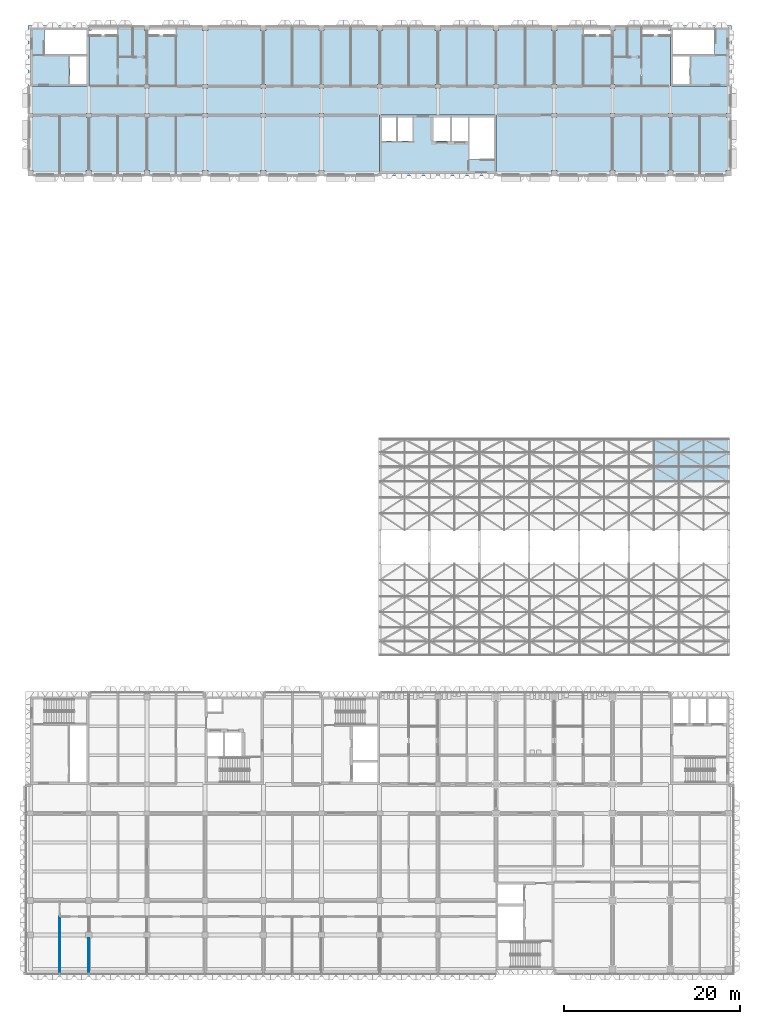
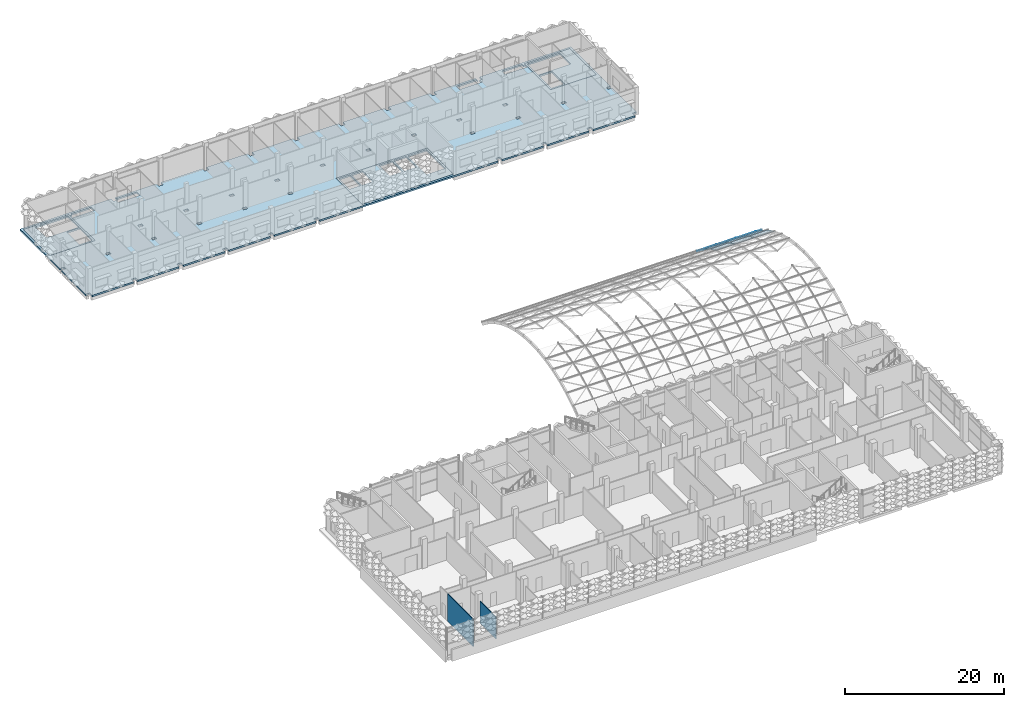
# One storey, part 24 of 85: 9 plates, 4 slabs, 2 walls.
"""IFC4 building model written with IfcOpenShell, lengths in metres."""

from ifc_helpers import new_model, si_unit, direction, frame, frame_2d, origin, place, context, subcontext, project, spatial, polyline, rectangle, outline, extrude, material, layer, layer_set, type_object, element, save


model = new_model("IFC4")

# Units and contexts
model_context = context("Model", 3, precision=1e-05, world=origin(), true_north=direction((0.0, 1.0)))
body_context = subcontext(model_context, "Body", "Model", "MODEL_VIEW")
ifc_project = project(units=[si_unit("LENGTHUNIT", "METRE"), si_unit("AREAUNIT", "SQUARE_METRE"), si_unit("VOLUMEUNIT", "CUBIC_METRE"), si_unit("PLANEANGLEUNIT", "RADIAN"), si_unit("MASSUNIT", "GRAM", prefix="KILO")], contexts=[model_context])

# Site, building, storey
site_placement = place(None, origin())
site = spatial("IfcSite", under=ifc_project, at=site_placement, CompositionType="ELEMENT")
building_placement = place(site_placement, origin())
building = spatial("IfcBuilding", under=site, at=building_placement, Name="Lantern Court Research Institute", CompositionType="ELEMENT")
storey_placement = place(building_placement, frame((0.0, 0.0, 18.89990234375)))
storey = spatial("IfcBuildingStorey", under=building, at=storey_placement, Name="L04", CompositionType="ELEMENT", Elevation=18.89990234375)

# Plates
ifc_material_1 = material(Name="Laminated low-emissivity glass", Category="glass")
ifc_layer_1 = layer(ifc_material_1, 0.0439453125)
ifc_layer_set_1 = layer_set([ifc_layer_1], Name="Laminated low-emissivity glass")
plate_type = type_object("IfcPlateType", Name="Gridshell roof glazing panel 44", PredefinedType="SHEET", material=ifc_layer_set_1)
plate_1_placement = place(storey_placement, frame((73.532958984375, 47.56298828125, 3.22216796875), z_axis=(0.0, 0.437840262828, 0.89905278168), x_axis=(-1.0, 0.0, 0.0)))
element("IfcPlate", 1, at=plate_1_placement, inside=storey, type_object=plate_type, Name="Roof glazing panel", PredefinedType="SHEET", context=body_context, shape_type="SweptSolid", body=[
    extrude(outline(polyline([(0.0, 0.0), (2.80859375, 0.0), (2.80859375, -1.8802340885275783), (0.0, -1.8802340885275783), (0.0, 0.0)])), origin(), (0.0, 0.0, -1.0), 0.0439453125),
])
plate_2_placement = place(storey_placement, frame((73.532958984375, 49.27734375, 2.3857421875), z_axis=(0.0, 0.525951989181, 0.850514259185), x_axis=(-1.0, 0.0, 0.0)))
element("IfcPlate", 2, at=plate_2_placement, inside=storey, type_object=plate_type, Name="Roof glazing panel", PredefinedType="SHEET", context=body_context, shape_type="SweptSolid", body=[
    extrude(outline(polyline([(0.0, 0.0), (2.80859375, 0.0), (2.80859375, -1.8790332013740056), (0.0, -1.8790332013740056), (0.0, 0.0)])), origin(), (0.0, 0.0, -1.0), 0.0439453125),
])
plate_3_placement = place(storey_placement, frame((73.532958984375, 50.89892578125, 1.381103515625), z_axis=(0.0, 0.60878642587, 0.793334158899), x_axis=(-1.0, 0.0, 0.0)))
element("IfcPlate", 3, at=plate_3_placement, inside=storey, type_object=plate_type, Name="Roof glazing panel", PredefinedType="SHEET", context=body_context, shape_type="SweptSolid", body=[
    extrude(outline(polyline([(0.0, 0.0), (2.80859375, 0.0), (2.80859375, -1.8772137765583714), (0.0, -1.8772137765583714), (0.0, 0.0)])), origin(), (0.0, 0.0, -1.0), 0.0439453125),
])
plate_4_placement = place(storey_placement, frame((76.361328125, 47.56298828125, 3.22216796875), z_axis=(0.0, 0.437840262828, 0.89905278168), x_axis=(-1.0, 0.0, 0.0)))
element("IfcPlate", 4, at=plate_4_placement, inside=storey, type_object=plate_type, Name="Roof glazing panel", PredefinedType="SHEET", context=body_context, shape_type="SweptSolid", body=[
    extrude(outline(polyline([(0.0, 0.0), (2.808349609375, 0.0), (2.808349609375, -1.8802340885275781), (0.0, -1.8802340885275781), (0.0, 0.0)])), origin(), (0.0, 0.0, -1.0), 0.0439453125),
])
plate_5_placement = place(storey_placement, frame((76.361328125, 49.27734375, 2.3857421875), z_axis=(0.0, 0.525951989181, 0.850514259185), x_axis=(-1.0, 0.0, 0.0)))
element("IfcPlate", 5, at=plate_5_placement, inside=storey, type_object=plate_type, Name="Roof glazing panel", PredefinedType="SHEET", context=body_context, shape_type="SweptSolid", body=[
    extrude(outline(polyline([(0.0, 0.0), (2.808349609375, 0.0), (2.808349609375, -1.8790332013740056), (0.0, -1.8790332013740056), (0.0, 0.0)])), origin(), (0.0, 0.0, -1.0), 0.0439453125),
])
plate_6_placement = place(storey_placement, frame((76.361328125, 50.89892578125, 1.381103515625), z_axis=(0.0, 0.60878642587, 0.793334158899), x_axis=(-1.0, 0.0, 0.0)))
element("IfcPlate", 6, at=plate_6_placement, inside=storey, type_object=plate_type, Name="Roof glazing panel", PredefinedType="SHEET", context=body_context, shape_type="SweptSolid", body=[
    extrude(outline(polyline([(0.0, 0.0), (2.808349609375, 0.0), (2.808349609375, -1.8772137765583714), (0.0, -1.8772137765583714), (0.0, 0.0)])), origin(), (0.0, 0.0, -1.0), 0.0439453125),
])
plate_7_placement = place(storey_placement, frame((79.18994140625, 47.56298828125, 3.22216796875), z_axis=(0.0, 0.437840262828, 0.89905278168), x_axis=(-1.0, 0.0, 0.0)))
element("IfcPlate", 7, at=plate_7_placement, inside=storey, type_object=plate_type, Name="Roof glazing panel", PredefinedType="SHEET", context=body_context, shape_type="SweptSolid", body=[
    extrude(outline(polyline([(0.0, 0.0), (2.80859375, 0.0), (2.80859375, -1.8802340885275783), (0.0, -1.8802340885275783), (0.0, 0.0)])), origin(), (0.0, 0.0, -1.0), 0.0439453125),
])
plate_8_placement = place(storey_placement, frame((79.18994140625, 49.27734375, 2.3857421875), z_axis=(0.0, 0.525951989181, 0.850514259185), x_axis=(-1.0, 0.0, 0.0)))
element("IfcPlate", 8, at=plate_8_placement, inside=storey, type_object=plate_type, Name="Roof glazing panel", PredefinedType="SHEET", context=body_context, shape_type="SweptSolid", body=[
    extrude(outline(polyline([(0.0, 0.0), (2.80859375, 0.0), (2.80859375, -1.8790332013740056), (0.0, -1.8790332013740056), (0.0, 0.0)])), origin(), (0.0, 0.0, -1.0), 0.0439453125),
])
plate_9_placement = place(storey_placement, frame((79.18994140625, 50.89892578125, 1.381103515625), z_axis=(0.0, 0.60878642587, 0.793334158899), x_axis=(-1.0, 0.0, 0.0)))
element("IfcPlate", 9, at=plate_9_placement, inside=storey, type_object=plate_type, Name="Roof glazing panel", PredefinedType="SHEET", context=body_context, shape_type="SweptSolid", body=[
    extrude(outline(polyline([(0.0, 0.0), (2.80859375, 0.0), (2.80859375, -1.8772137765583714), (0.0, -1.8772137765583714), (0.0, 0.0)])), origin(), (0.0, 0.0, -1.0), 0.0439453125),
])

# Slabs
ifc_material_2 = material(Name="Concrete C35/45", Category="concrete")
ifc_layer_2 = layer(ifc_material_2, 0.25)
ifc_layer_set_2 = layer_set([ifc_layer_2], Name="Concrete C35/45")
slab_type_1 = type_object("IfcSlabType", Name="RC core floor slab 250", PredefinedType="FLOOR", material=ifc_layer_set_2)
slab_1_placement = place(storey_placement, frame((0.0, 0.0, -0.25)))
element("IfcSlab", 10, at=slab_1_placement, inside=storey, type_object=slab_type_1, Name="Floor of core WC-W", PredefinedType="FLOOR", context=body_context, shape_type="SweptSolid", body=[
    extrude(outline(polyline([(0.0, 92.39990234375), (6.60009765625, 92.39990234375), (6.60009765625, 99.0), (0.0, 99.0), (0.0, 92.39990234375)]), holes=[polyline([(1.60009765625, 96.0), (6.35009765625, 96.0), (6.35009765625, 98.75), (1.60009765625, 98.75), (1.60009765625, 96.0)]), polyline([(4.449951171875, 92.64990234375), (4.449951171875, 95.800048828125), (6.35009765625, 95.800048828125), (6.35009765625, 92.64990234375), (4.449951171875, 92.64990234375)])]), origin(), (0.0, 0.0, 1.0), 0.25),
])
slab_2_placement = place(storey_placement, frame((0.0, 0.0, -0.25)))
element("IfcSlab", 11, at=slab_2_placement, inside=storey, type_object=slab_type_1, Name="Floor of core WC-M", PredefinedType="FLOOR", context=body_context, shape_type="SweptSolid", body=[
    extrude(outline(polyline([(39.60009765625, 82.5), (52.800048828125, 82.5), (52.800048828125, 89.10009765625), (39.60009765625, 89.10009765625), (39.60009765625, 82.5)]), holes=[polyline([(52.550048828125, 84.10009765625), (52.550048828125, 88.85009765625), (49.800048828125, 88.85009765625), (49.800048828125, 84.10009765625), (52.550048828125, 84.10009765625)]), polyline([(47.800048828125, 86.14990234375), (49.60009765625, 86.14990234375), (49.60009765625, 88.85009765625), (47.800048828125, 88.85009765625), (47.800048828125, 86.14990234375)]), polyline([(45.699951171875, 86.14990234375), (47.60009765625, 86.14990234375), (47.60009765625, 88.85009765625), (45.699951171875, 88.85009765625), (45.699951171875, 86.14990234375)]), polyline([(43.300048828125, 88.85009765625), (43.300048828125, 86.14990234375), (41.675048828125, 86.14990234375), (41.675048828125, 88.85009765625), (43.300048828125, 88.85009765625)]), polyline([(41.47509765625, 88.85009765625), (41.47509765625, 86.14990234375), (39.85009765625, 86.14990234375), (39.85009765625, 88.85009765625), (41.47509765625, 88.85009765625)])]), origin(), (0.0, 0.0, 1.0), 0.25),
])
slab_3_placement = place(storey_placement, frame((0.0, 0.0, -0.25)))
element("IfcSlab", 12, at=slab_3_placement, inside=storey, type_object=slab_type_1, Name="Floor of core WC-E", PredefinedType="FLOOR", context=body_context, shape_type="SweptSolid", body=[
    extrude(outline(polyline([(72.60009765625, 92.39990234375), (79.199951171875, 92.39990234375), (79.199951171875, 99.0), (72.60009765625, 99.0), (72.60009765625, 92.39990234375)]), holes=[polyline([(77.60009765625, 98.75), (72.85009765625, 98.75), (72.85009765625, 96.0), (77.60009765625, 96.0), (77.60009765625, 98.75)]), polyline([(72.85009765625, 92.64990234375), (72.85009765625, 95.800048828125), (74.75, 95.800048828125), (74.75, 92.64990234375), (72.85009765625, 92.64990234375)])]), origin(), (0.0, 0.0, 1.0), 0.25),
])
ifc_material_3 = material(Name="Concrete C35/45", Category="concrete")
ifc_layer_3 = layer(ifc_material_3, 0.25)
ifc_layer_set_3 = layer_set([ifc_layer_3], Name="Concrete C35/45")
slab_type_2 = type_object("IfcSlabType", Name="RC floor slab 250", PredefinedType="FLOOR", material=ifc_layer_set_3)
slab_4_placement = place(storey_placement, frame((0.0, 0.0, -0.25)))
element("IfcSlab", 13, at=slab_4_placement, inside=storey, type_object=slab_type_2, Name="Floor slab L04 Write-up and Seminar Wing", PredefinedType="FLOOR", context=body_context, shape_type="SweptSolid", body=[
    extrude(outline(polyline([(-0.300048828125, 89.300048828125), (0.300048828125, 89.300048828125), (0.300048828125, 88.89990234375), (-0.300048828125, 88.89990234375), (-0.300048828125, 82.800048828125), (0.300048828125, 82.800048828125), (0.300048828125, 82.199951171875), (6.300048828125, 82.199951171875), (6.300048828125, 82.800048828125), (6.89990234375, 82.800048828125), (6.89990234375, 82.199951171875), (12.89990234375, 82.199951171875), (12.89990234375, 82.800048828125), (13.5, 82.800048828125), (13.5, 82.199951171875), (19.5, 82.199951171875), (19.5, 82.800048828125), (20.10009765625, 82.800048828125), (20.10009765625, 82.199951171875), (26.10009765625, 82.199951171875), (26.10009765625, 82.800048828125), (26.699951171875, 82.800048828125), (26.699951171875, 82.199951171875), (32.699951171875, 82.199951171875), (32.699951171875, 82.800048828125), (33.300048828125, 82.800048828125), (33.300048828125, 82.199951171875), (59.10009765625, 82.199951171875), (59.10009765625, 82.800048828125), (59.699951171875, 82.800048828125), (59.699951171875, 82.199951171875), (65.699951171875, 82.199951171875), (65.699951171875, 82.800048828125), (66.300048828125, 82.800048828125), (66.300048828125, 82.199951171875), (72.300048828125, 82.199951171875), (72.300048828125, 82.800048828125), (72.89990234375, 82.800048828125), (72.89990234375, 82.199951171875), (78.89990234375, 82.199951171875), (78.89990234375, 82.800048828125), (79.5, 82.800048828125), (79.5, 88.89990234375), (78.89990234375, 88.89990234375), (78.89990234375, 89.300048828125), (79.5, 89.300048828125), (79.5, 99.0), (79.5, 99.300048828125), (66.300048828125, 99.300048828125), (66.300048828125, 98.699951171875), (65.945068359375, 98.699951171875), (65.945068359375, 98.155029296875), (62.7548828125, 98.155029296875), (62.7548828125, 99.0), (65.698974609375, 99.0), (65.699951171875, 98.699951171875), (65.699951171875, 99.300048828125), (59.699951171875, 99.300048828125), (59.699951171875, 98.699951171875), (59.10009765625, 98.699951171875), (59.10009765625, 99.300048828125), (53.10009765625, 99.300048828125), (53.10009765625, 98.699951171875), (52.5, 98.699951171875), (52.5, 99.300048828125), (46.5, 99.300048828125), (46.5, 98.699951171875), (45.89990234375, 98.699951171875), (45.89990234375, 99.300048828125), (39.89990234375, 99.300048828125), (39.89990234375, 98.699951171875), (39.300048828125, 98.699951171875), (39.300048828125, 99.300048828125), (33.300048828125, 99.300048828125), (33.300048828125, 98.699951171875), (32.699951171875, 98.699951171875), (32.699951171875, 99.300048828125), (26.699951171875, 99.300048828125), (26.699951171875, 98.699951171875), (26.10009765625, 98.699951171875), (26.10009765625, 99.300048828125), (20.10009765625, 99.300048828125), (20.10009765625, 98.699951171875), (19.5, 98.699951171875), (19.5, 99.300048828125), (13.5, 99.300048828125), (13.5, 98.699951171875), (13.5009765625, 99.0), (16.445068359375, 99.0), (16.445068359375, 98.155029296875), (13.2548828125, 98.155029296875), (13.2548828125, 98.699951171875), (12.89990234375, 98.699951171875), (12.89990234375, 99.300048828125), (-0.300048828125, 99.300048828125), (-0.300048828125, 99.0), (-0.300048828125, 89.300048828125)]), holes=[polyline([(72.60009765625, 98.699951171875), (72.60009765625, 99.0), (79.199951171875, 99.0), (79.199951171875, 92.39990234375), (72.60009765625, 92.39990234375), (72.60009765625, 98.155029296875), (69.35498046875, 98.155029296875), (69.35498046875, 99.0), (72.300048828125, 99.0), (72.300048828125, 98.699951171875), (72.60009765625, 98.699951171875)]), polyline([(72.300048828125, 89.300048828125), (72.89990234375, 89.300048828125), (72.89990234375, 88.89990234375), (72.300048828125, 88.89990234375), (72.300048828125, 89.300048828125)]), polyline([(65.699951171875, 92.60009765625), (66.300048828125, 92.60009765625), (66.300048828125, 92.199951171875), (65.699951171875, 92.199951171875), (65.699951171875, 92.60009765625)]), polyline([(65.699951171875, 89.300048828125), (66.300048828125, 89.300048828125), (66.300048828125, 88.89990234375), (65.699951171875, 88.89990234375), (65.699951171875, 89.300048828125)]), polyline([(59.10009765625, 92.60009765625), (59.699951171875, 92.60009765625), (59.699951171875, 92.199951171875), (59.10009765625, 92.199951171875), (59.10009765625, 92.60009765625)]), polyline([(59.10009765625, 88.89990234375), (59.10009765625, 89.300048828125), (59.699951171875, 89.300048828125), (59.699951171875, 88.89990234375), (59.10009765625, 88.89990234375)]), polyline([(52.5, 92.60009765625), (53.10009765625, 92.60009765625), (53.10009765625, 92.199951171875), (52.5, 92.199951171875), (52.5, 92.60009765625)]), polyline([(39.60009765625, 89.10009765625), (52.800048828125, 89.10009765625), (52.800048828125, 82.5), (39.60009765625, 82.5), (39.60009765625, 89.10009765625)]), polyline([(45.89990234375, 92.199951171875), (45.89990234375, 92.60009765625), (46.5, 92.60009765625), (46.5, 92.199951171875), (45.89990234375, 92.199951171875)]), polyline([(39.300048828125, 92.199951171875), (39.300048828125, 92.60009765625), (39.89990234375, 92.60009765625), (39.89990234375, 92.199951171875), (39.300048828125, 92.199951171875)]), polyline([(32.699951171875, 89.300048828125), (33.300048828125, 89.300048828125), (33.300048828125, 88.89990234375), (32.699951171875, 88.89990234375), (32.699951171875, 89.300048828125)]), polyline([(32.699951171875, 92.199951171875), (32.699951171875, 92.60009765625), (33.300048828125, 92.60009765625), (33.300048828125, 92.199951171875), (32.699951171875, 92.199951171875)]), polyline([(26.10009765625, 92.60009765625), (26.699951171875, 92.60009765625), (26.699951171875, 92.199951171875), (26.10009765625, 92.199951171875), (26.10009765625, 92.60009765625)]), polyline([(26.10009765625, 88.89990234375), (26.10009765625, 89.300048828125), (26.699951171875, 89.300048828125), (26.699951171875, 88.89990234375), (26.10009765625, 88.89990234375)]), polyline([(19.5, 92.60009765625), (20.10009765625, 92.60009765625), (20.10009765625, 92.199951171875), (19.5, 92.199951171875), (19.5, 92.60009765625)]), polyline([(19.5, 89.300048828125), (20.10009765625, 89.300048828125), (20.10009765625, 88.89990234375), (19.5, 88.89990234375), (19.5, 89.300048828125)]), polyline([(12.89990234375, 89.300048828125), (13.5, 89.300048828125), (13.5, 88.89990234375), (12.89990234375, 88.89990234375), (12.89990234375, 89.300048828125)]), polyline([(12.89990234375, 92.199951171875), (12.89990234375, 92.60009765625), (13.5, 92.60009765625), (13.5, 92.199951171875), (12.89990234375, 92.199951171875)]), polyline([(6.300048828125, 88.89990234375), (6.300048828125, 89.300048828125), (6.89990234375, 89.300048828125), (6.89990234375, 88.89990234375), (6.300048828125, 88.89990234375)]), polyline([(0.0, 99.0), (6.60009765625, 99.0), (6.60009765625, 98.699951171875), (6.89990234375, 98.699951171875), (6.89990234375, 99.0), (9.844970703125, 99.0), (9.844970703125, 98.155029296875), (6.60009765625, 98.155029296875), (6.60009765625, 92.39990234375), (0.0, 92.39990234375), (0.0, 99.0)])]), origin(), (0.0, 0.0, 1.0), 0.25),
])

# Walls
ifc_material_4 = material(Name="Fire-rated gypsum board partition, mineral wool filled")
ifc_layer_4 = layer(ifc_material_4, 0.110107421875)
ifc_layer_set_4 = layer_set([ifc_layer_4], Name="Fire-rated gypsum board partition, mineral wool filled")
wall_type = type_object("IfcWallType", Name="Office partition 110 EI 30", PredefinedType="PARTITIONING", material=ifc_layer_set_4)
wall_1_placement = place(storey_placement, frame((3.300048828125, -8.25, 0.0), z_axis=(0.0, 0.0, 1.0), x_axis=(0.0, 1.0, 0.0)))
element("IfcWall", 14, at=wall_1_placement, inside=storey, type_object=wall_type, Name="Office partition 110 EI 30", PredefinedType="PARTITIONING", context=body_context, shape_type="SweptSolid", body=[
    extrude(rectangle(XDim=6.449951171875, YDim=0.110107421875, at=frame_2d((3.22509765625, 0.0))), origin(), (0.0, 0.0, 1.0), 4.2001953125),
])
wall_2_placement = place(storey_placement, frame((6.60009765625, -8.25, 0.0), z_axis=(0.0, 0.0, 1.0), x_axis=(0.0, 1.0, 0.0)))
element("IfcWall", 15, at=wall_2_placement, inside=storey, type_object=wall_type, Name="Office partition 110 EI 30", PredefinedType="PARTITIONING", context=body_context, shape_type="SweptSolid", body=[
    extrude(rectangle(XDim=4.0, YDim=0.110107421875, at=frame_2d((2.0, 0.0))), origin(), (0.0, 0.0, 1.0), 3.400146484375),
])

save(model, "model.ifc")
